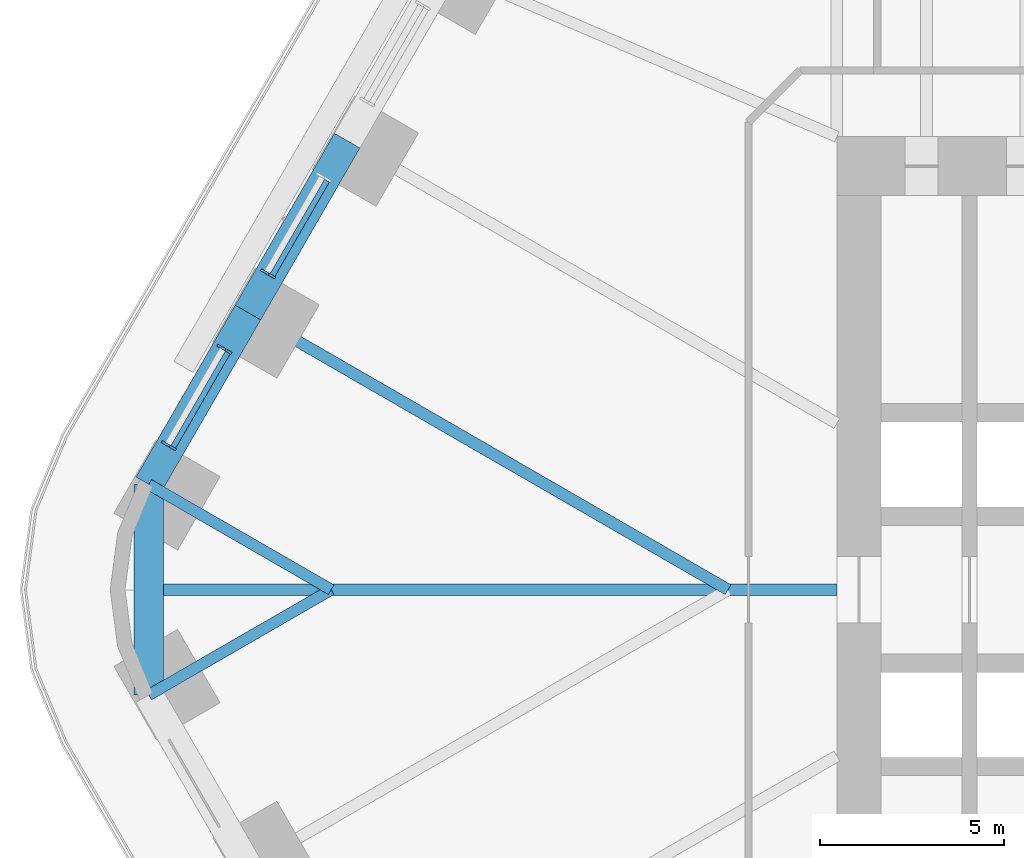
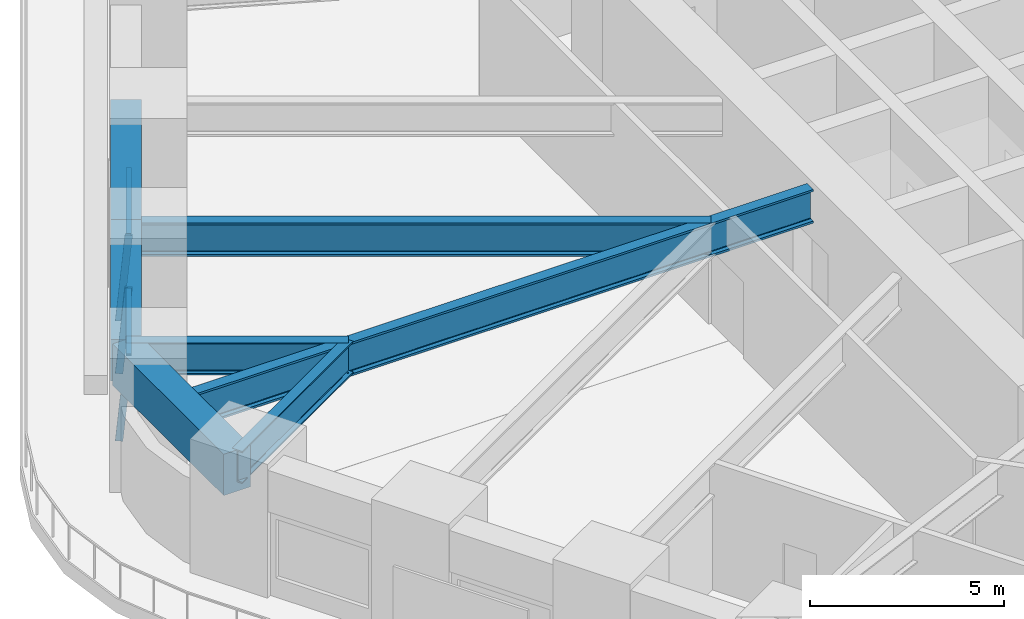
# One storey, part 6 of 23: 7 beams, 5 members, 2 elements without a shape of their own.
"""IFC4 building model written with IfcOpenShell, lengths in metres."""

from ifc_helpers import new_model, si_unit, direction, frame, origin, origin_2d, place, context, subcontext, project, spatial, rectangle, i_section, extrude, material, material_profile, profile_set, type_object, element, aggregate, save


model = new_model("IFC4")

# Units and contexts
model_context = context("Model", 3, precision=1e-05, world=origin(), true_north=direction((0.0, 1.0)))
body_context = subcontext(model_context, "Body", "Model", "MODEL_VIEW")
ifc_project = project(units=[si_unit("LENGTHUNIT", "METRE"), si_unit("AREAUNIT", "SQUARE_METRE"), si_unit("VOLUMEUNIT", "CUBIC_METRE"), si_unit("PLANEANGLEUNIT", "RADIAN"), si_unit("MASSUNIT", "GRAM", prefix="KILO")], contexts=[model_context])

# Site, building, storey
site_placement = place(None, origin())
site = spatial("IfcSite", under=ifc_project, at=site_placement, CompositionType="ELEMENT")
building_placement = place(site_placement, origin())
building = spatial("IfcBuilding", under=site, at=building_placement, Name="Tarfa Lantern Tower", CompositionType="ELEMENT")
storey_placement = place(building_placement, frame((0.0, 0.0, 31.89990234375)))
storey = spatial("IfcBuildingStorey", under=building, at=storey_placement, Name="L06", CompositionType="ELEMENT", Elevation=31.89990234375)

# Curtain wall, member
ifc_material_1 = material(Name="Aluminium framed curtain wall", Category="aluminium")
curtain_wall_type = type_object("IfcCurtainWallType", Name="CW1 CANTED GLAZING LOW ZONE 2700", PredefinedType="USERDEFINED", material=ifc_material_1)
curtain_wall_1_placement = place(storey_placement, origin())
curtain_wall_1 = element("IfcCurtainWall", 1, at=curtain_wall_1_placement, inside=storey, type_object=curtain_wall_type, Name="CW1 NW L06", ObjectType="CURTAIN WALL", PredefinedType="USERDEFINED")
ifc_material_2 = material(Name="Aluminium mullion", Category="aluminium")
ifc_material_profile_1 = material_profile(ifc_material_2, rectangle(XDim=0.06494140625, YDim=0.199951171875, at=origin_2d()), Name="AL MULLION 65x200")
ifc_profile_set_1 = profile_set([ifc_material_profile_1], Name="Aluminium mullion")
member_type_1 = type_object("IfcMemberType", Name="CWM1 MULLION 65x200", PredefinedType="MULLION", material=ifc_profile_set_1)
member_1_placement = place(storey_placement, frame((-34.155517578125, 8.640625, 0.0), z_axis=(0.079767804165, -0.046096067418, 0.995747081335), x_axis=(0.500342721131, 0.865827443207, 0.0)))
member_1 = element("IfcMember", 2, at=member_1_placement, type_object=member_type_1, Name="CW1 mullion 2", PredefinedType="MULLION", context=body_context, shape_type="SweptSolid", body=[
    extrude(rectangle(XDim=0.06494140625, YDim=0.199951171875, at=origin_2d()), origin(), (0.0, 0.0, 1.0), 2.711669921875),
])

# Curtain wall, members
curtain_wall_2_placement = place(storey_placement, origin())
curtain_wall_2 = element("IfcCurtainWall", 3, at=curtain_wall_2_placement, inside=storey, type_object=curtain_wall_type, Name="CW1 NW L06", ObjectType="CURTAIN WALL", PredefinedType="USERDEFINED")
member_2_placement = place(storey_placement, frame((-35.338134765625, 6.592529296875, 0.0), z_axis=(0.079857261722, -0.046095736191, 0.995739926314), x_axis=(0.499919672301, 0.866071776036, 0.0)))
member_2 = element("IfcMember", 4, at=member_2_placement, type_object=member_type_1, Name="CW1 mullion 1", PredefinedType="MULLION", context=body_context, shape_type="SweptSolid", body=[
    extrude(rectangle(XDim=0.06494140625, YDim=0.199951171875, at=origin_2d()), origin(), (0.0, 0.0, 1.0), 2.711669921875),
])
member_3_placement = place(storey_placement, frame((-36.849853515625, 3.97412109375, 0.0), z_axis=(0.079857261722, -0.046095736191, 0.995739926314), x_axis=(0.499919672301, 0.866071776036, 0.0)))
member_3 = element("IfcMember", 5, at=member_3_placement, type_object=member_type_1, Name="CW1 mullion 2", PredefinedType="MULLION", context=body_context, shape_type="SweptSolid", body=[
    extrude(rectangle(XDim=0.06494140625, YDim=0.199951171875, at=origin_2d()), origin(), (0.0, 0.0, 1.0), 2.711669921875),
])

# Member
ifc_material_3 = material(Name="Aluminium transom", Category="aluminium")
ifc_material_profile_2 = material_profile(ifc_material_3, rectangle(XDim=0.14990234375, YDim=0.06494140625, at=origin_2d()), Name="AL TRANSOM 150x65")
ifc_profile_set_2 = profile_set([ifc_material_profile_2], Name="Aluminium transom")
member_type_2 = type_object("IfcMemberType", Name="CWT1 TRANSOM 150x65", PredefinedType="USERDEFINED", material=ifc_profile_set_2)
member_4_placement = place(storey_placement, frame((-32.446044921875, 11.107666015625, 2.66748046875), z_axis=(-0.50004387232, -0.866000072607, 0.0), x_axis=(0.866000072607, -0.50004387232, 0.0)))
member_4 = element("IfcMember", 6, at=member_4_placement, type_object=member_type_2, Name="CW1 transom 1.2", ObjectType="TRANSOM", PredefinedType="USERDEFINED", context=body_context, shape_type="SweptSolid", body=[
    extrude(rectangle(XDim=0.14990234375, YDim=0.06494140625, at=origin_2d()), origin(), (0.0, 0.0, 1.0), 2.958740234375),
])

aggregate(curtain_wall_1, [member_1, member_4])

member_5_placement = place(storey_placement, frame((-35.140380859375, 6.44091796875, 2.66748046875), z_axis=(-0.50004387232, -0.866000072607, 0.0), x_axis=(0.866000072607, -0.50004387232, 0.0)))
member_5 = element("IfcMember", 7, at=member_5_placement, type_object=member_type_2, Name="CW1 transom 1.2", ObjectType="TRANSOM", PredefinedType="USERDEFINED", context=body_context, shape_type="SweptSolid", body=[
    extrude(rectangle(XDim=0.14990234375, YDim=0.06494140625, at=origin_2d()), origin(), (0.0, 0.0, 1.0), 2.958740234375),
])

aggregate(curtain_wall_2, [member_2, member_3, member_5])

# Beams
ifc_material_4 = material(Name="Concrete C80/95", Category="concrete")
ifc_material_profile_3 = material_profile(ifc_material_4, rectangle(XDim=0.800048828125, YDim=1.300048828125, at=origin_2d()), Name="RC 800x1300")
ifc_profile_set_3 = profile_set([ifc_material_profile_3], Name="Concrete C80/95")
beam_type_1 = type_object("IfcBeamType", Name="EB1 RC 800x1300", PredefinedType="SPANDREL", material=ifc_profile_set_3)
beam_1_placement = place(storey_placement, frame((-31.896728515625, 12.193359375, 3.35009765625), z_axis=(-0.499998287579, -0.866026392449, 0.0), x_axis=(0.866026392449, -0.499998287579, 0.0)))
element("IfcBeam", 8, at=beam_1_placement, inside=storey, type_object=beam_type_1, Name="Edge beam NW4", PredefinedType="SPANDREL", context=body_context, shape_type="SweptSolid", body=[
    extrude(rectangle(XDim=0.800048828125, YDim=1.300048828125, at=origin_2d()), origin(), (0.0, 0.0, 1.0), 5.388671875),
])
beam_2_placement = place(storey_placement, frame((-34.591064453125, 7.526611328125, 3.35009765625), z_axis=(-0.500017906299, -0.866015065331, 0.0), x_axis=(0.866015065331, -0.500017906299, 0.0)))
element("IfcBeam", 9, at=beam_2_placement, inside=storey, type_object=beam_type_1, Name="Edge beam NW5", PredefinedType="SPANDREL", context=body_context, shape_type="SweptSolid", body=[
    extrude(rectangle(XDim=0.800048828125, YDim=1.300048828125, at=origin_2d()), origin(), (0.0, 0.0, 1.0), 5.388427734375),
])
beam_3_placement = place(storey_placement, frame((-37.285400390625, 2.860107421875, 3.35009765625), z_axis=(0.0, -1.0, 0.0), x_axis=(1.0, 0.0, 0.0)))
element("IfcBeam", 10, at=beam_3_placement, inside=storey, type_object=beam_type_1, Name="Edge beam NW6", PredefinedType="SPANDREL", context=body_context, shape_type="SweptSolid", body=[
    extrude(rectangle(XDim=0.800048828125, YDim=1.300048828125, at=origin_2d()), origin(), (0.0, 0.0, 1.0), 5.72021484375),
])
ifc_material_5 = material(Name="Steel S460M", Category="steel")
ifc_material_profile_4 = material_profile(ifc_material_5, i_section(OverallWidth=0.302001953125, OverallDepth=1.008056640625, WebThickness=0.02099609375, FlangeThickness=0.0400390625, FilletRadius=0.030029296875, at=origin_2d()), Name="UB1016x305x349")
ifc_profile_set_4 = profile_set([ifc_material_profile_4], Name="Steel S460M")
beam_type_2 = type_object("IfcBeamType", Name="UB1016x305x349", PredefinedType="BEAM", material=ifc_profile_set_4)
for number, where, z_axis, x_axis, name in (
    (11, (-37.285400390625, 2.860107421875, 3.49609375), (0.866025668288, -0.499999541866, 0.0), (0.499999541866, 0.866025668288, 0.0), "Floor beam NW6"),
    (12, (-37.285400390625, -2.860107421875, 3.49609375), (0.866025668288, 0.499999541866, 0.0), (-0.499999541866, 0.866025668288, 0.0), "Floor beam SW0"),
):
    element("IfcBeam", number, at=place(storey_placement, frame(where, z_axis=z_axis, x_axis=x_axis)), inside=storey, type_object=beam_type_2, Name=name, PredefinedType="BEAM", context=body_context, shape_type="SweptSolid", body=[
        extrude(i_section(OverallWidth=0.302001953125, OverallDepth=1.008056640625, WebThickness=0.02099609375, FlangeThickness=0.0400390625, FilletRadius=0.030029296875, at=origin_2d()), origin(), (0.0, 0.0, 1.0), 5.72021484375),
    ])
ifc_material_profile_5 = material_profile(ifc_material_5, i_section(OverallWidth=0.314208984375, OverallDepth=1.055908203125, WebThickness=0.035888671875, FlangeThickness=0.06396484375, FilletRadius=0.030029296875, at=origin_2d()), Name="UB1016x305x584")
ifc_profile_set_5 = profile_set([ifc_material_profile_5], Name="Steel S460M")
beam_type_3 = type_object("IfcBeamType", Name="UB1016x305x584", PredefinedType="BEAM", material=ifc_profile_set_5)
beam_4_placement = place(storey_placement, frame((-18.60009765625, 0.0, 3.47216796875), z_axis=(-1.0, 0.0, 0.0), x_axis=(0.0, -1.0, 0.0)))
element("IfcBeam", 13, at=beam_4_placement, inside=storey, type_object=beam_type_3, Name="Hip girder W", PredefinedType="BEAM", context=body_context, shape_type="SweptSolid", body=[
    extrude(i_section(OverallWidth=0.314208984375, OverallDepth=1.055908203125, WebThickness=0.035888671875, FlangeThickness=0.06396484375, FilletRadius=0.030029296875, at=origin_2d()), origin(), (0.0, 0.0, 1.0), 18.685302734375),
])
beam_5_placement = place(storey_placement, frame((-34.591064453125, 7.526611328125, 3.47216796875), z_axis=(0.86602785945, -0.499995746638, 0.0), x_axis=(0.499995746638, 0.86602785945, 0.0)))
element("IfcBeam", 14, at=beam_5_placement, inside=storey, type_object=beam_type_3, Name="Floor beam NW5", PredefinedType="BEAM", context=body_context, shape_type="SweptSolid", body=[
    extrude(i_section(OverallWidth=0.314208984375, OverallDepth=1.055908203125, WebThickness=0.035888671875, FlangeThickness=0.06396484375, FilletRadius=0.030029296875, at=origin_2d()), origin(), (0.0, 0.0, 1.0), 15.053466796875),
])

save(model, "model.ifc")
